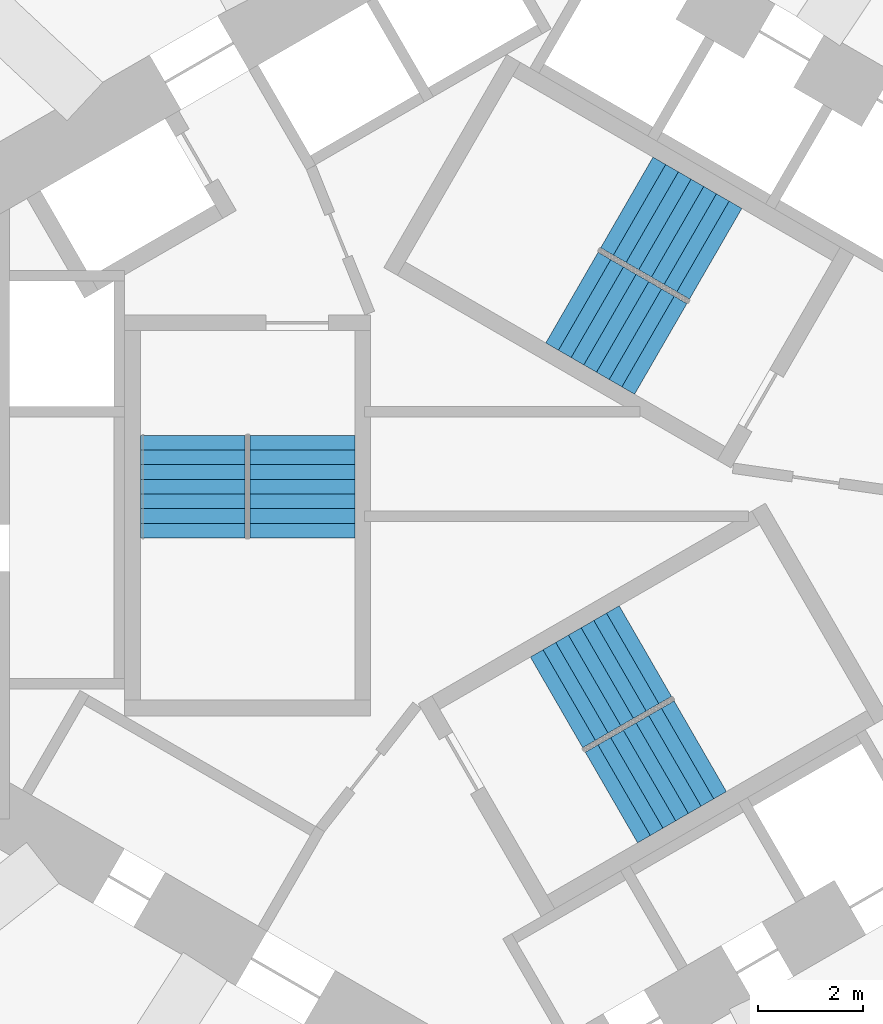
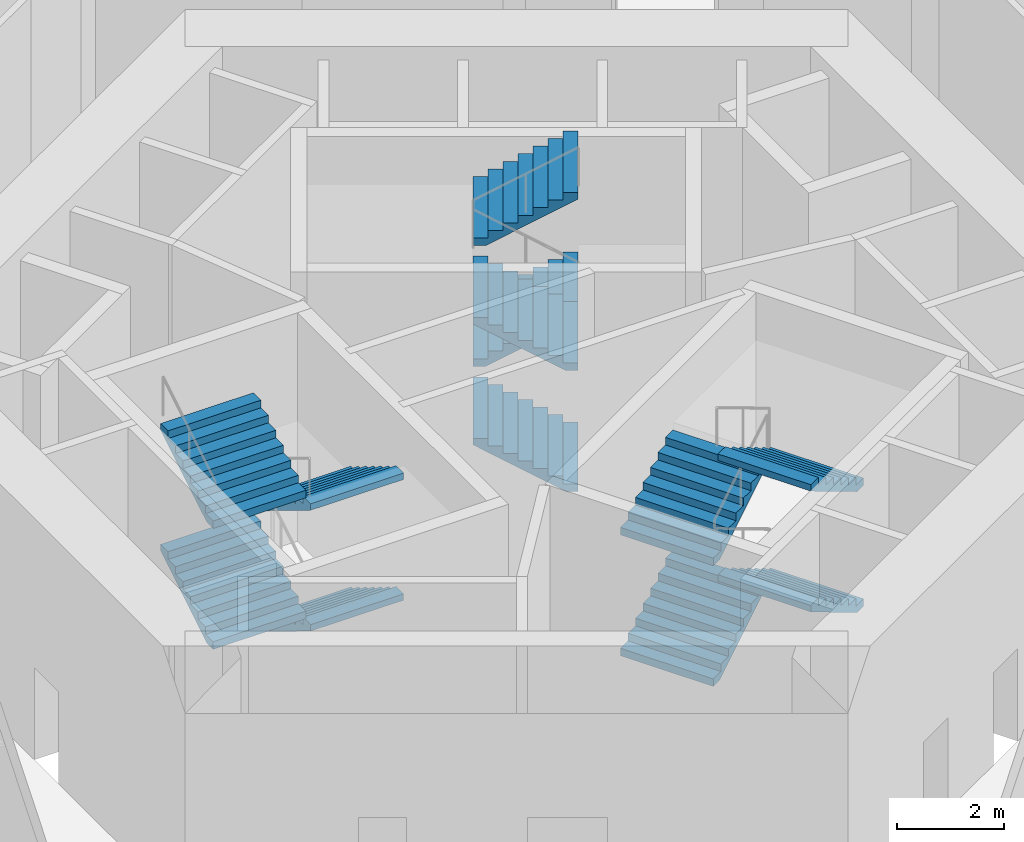
# One storey, part 12 of 16: 12 stair flights, 3 elements without a shape of their own.
"""IFC4 building model written with IfcOpenShell, lengths in metres."""

from ifc_helpers import new_model, si_unit, direction, frame, origin, place, context, subcontext, project, spatial, triangles, source, transform, mapped, material, type_object, element, aggregate, save


model = new_model("IFC4")

# Units and contexts
model_context = context("Model", 3, precision=1e-05, world=origin(), true_north=direction((0.0, 1.0)))
body_context = subcontext(model_context, "Body", "Model", "MODEL_VIEW")
ifc_project = project(units=[si_unit("LENGTHUNIT", "METRE"), si_unit("AREAUNIT", "SQUARE_METRE"), si_unit("VOLUMEUNIT", "CUBIC_METRE"), si_unit("PLANEANGLEUNIT", "RADIAN"), si_unit("MASSUNIT", "GRAM", prefix="KILO")], contexts=[model_context])

# Site, building, storey
site_placement = place(None, origin())
site = spatial("IfcSite", under=ifc_project, at=site_placement, CompositionType="ELEMENT")
building_placement = place(site_placement, origin())
building = spatial("IfcBuilding", under=site, at=building_placement, Name="Vanh Sen Convention Tower", CompositionType="ELEMENT")
storey_placement = place(building_placement, frame((0.0, 0.0, 7.5)))
storey = spatial("IfcBuildingStorey", under=building, at=storey_placement, Name="L01", CompositionType="ELEMENT", Elevation=7.5)

# Stair, stair flights
ifc_material_1 = material(Name="Concrete C50/60", Category="concrete")
stair_type_1 = type_object("IfcStairType", Name="Exit stair ST1 32 risers at 171.9", PredefinedType="HALF_TURN_STAIR", material=ifc_material_1)
stair_1_placement = place(storey_placement, origin())
stair_1 = element("IfcStair", 1, at=stair_1_placement, inside=storey, type_object=stair_type_1, Name="Exit stair ST1 L01", PredefinedType="HALF_TURN_STAIR")
ifc_material_2 = material(Name="Concrete C40/50", Category="concrete")
stair_flight_type = type_object("IfcStairFlightType", Name="Stair flight 2000", PredefinedType="STRAIGHT", material=ifc_material_2)
shared_shape = source(origin(), body_context, "Body", "Tessellation", [
    triangles([(0.239013671875, 1.0, 0.0), (0.0, 1.0, 0.0), (0.0, 1.0, 0.171875), (0.280029296875, 1.0, 0.171875), (0.280029296875, 1.0, 0.34375), (0.56005859375, 1.0, 0.34375), (0.56005859375, 1.0, 0.515625), (0.840087890625, 1.0, 0.515625), (0.840087890625, 1.0, 0.6875), (1.1201171875, 1.0, 0.6875), (1.1201171875, 1.0, 0.859375), (1.39990234375, 1.0, 0.859375), (1.39990234375, 1.0, 1.03125), (1.679931640625, 1.0, 1.03125), (1.679931640625, 1.0, 1.203125), (1.9599609375, 1.0, 1.203125), (1.9599609375, 1.0, 1.056396484375), (0.239013671875, -1.0, 0.0), (0.0, -1.0, 0.0), (0.0, -1.0, 0.171875), (0.280029296875, -1.0, 0.171875), (0.280029296875, -1.0, 0.34375), (0.56005859375, -1.0, 0.34375), (0.56005859375, -1.0, 0.515625), (0.840087890625, -1.0, 0.515625), (0.840087890625, -1.0, 0.6875), (1.1201171875, -1.0, 0.6875), (1.1201171875, -1.0, 0.859375), (1.39990234375, -1.0, 0.859375), (1.39990234375, -1.0, 1.03125), (1.679931640625, -1.0, 1.03125), (1.679931640625, -1.0, 1.203125), (1.9599609375, -1.0, 1.203125), (1.9599609375, -1.0, 1.056396484375), (0.0, 0.0400390625, 0.0), (0.0, 0.0390625, 0.0), (0.0, 0.0380859375, 0.0), (0.0, 0.037109375, 0.0), (0.0, 0.035888671875, 0.0), (0.0, 0.034912109375, 0.0), (0.0, 0.033935546875, 0.0), (0.0, 0.032958984375, 0.0), (0.0, 0.031982421875, 0.0), (0.0, 0.031005859375, 0.0), (0.0, 0.030029296875, 0.0), (0.0, 0.029052734375, 0.0), (0.0, 0.028076171875, 0.0), (0.0, 0.027099609375, 0.0), (0.0, 0.02587890625, 0.0), (0.0, 0.02490234375, 0.0), (0.0, 0.02392578125, 0.0), (0.0, 0.02294921875, 0.0), (0.0, 0.02197265625, 0.0), (0.0, 0.02099609375, 0.0), (0.0, 0.02001953125, 0.0), (0.0, 0.01904296875, 0.0), (0.0, 0.01806640625, 0.0), (0.0, 0.01708984375, 0.0), (0.0, 0.01611328125, 0.0), (0.0, 0.014892578125, 0.0), (0.0, 0.013916015625, 0.0), (0.0, 0.012939453125, 0.0), (0.0, 0.011962890625, 0.0), (0.0, 0.010986328125, 0.0), (0.0, 0.010009765625, 0.0), (0.0, 0.009033203125, 0.0), (0.0, 0.008056640625, 0.0), (0.0, 0.007080078125, 0.0), (0.0, 0.006103515625, 0.0), (0.0, 0.0048828125, 0.0), (0.0, 0.00390625, 0.0), (0.0, 0.0029296875, 0.0), (0.0, 0.001953125, 0.0), (0.0, 0.0009765625, 0.0), (0.0, 0.0, 0.0), (0.0, -0.0009765625, 0.0), (0.0, -0.001953125, 0.0), (0.0, -0.0029296875, 0.0), (0.0, -0.00390625, 0.0), (0.0, -0.0048828125, 0.0), (0.0, -0.006103515625, 0.0), (0.0, -0.007080078125, 0.0), (0.0, -0.008056640625, 0.0), (0.0, -0.009033203125, 0.0), (0.0, -0.010009765625, 0.0), (0.0, -0.010986328125, 0.0), (0.0, -0.011962890625, 0.0), (0.0, -0.012939453125, 0.0), (0.0, -0.013916015625, 0.0), (0.0, -0.014892578125, 0.0), (0.0, -0.01611328125, 0.0), (0.0, -0.01708984375, 0.0), (0.0, -0.01806640625, 0.0), (0.0, -0.01904296875, 0.0), (0.0, -0.02001953125, 0.0), (0.0, -0.02099609375, 0.0), (0.0, -0.02197265625, 0.0), (0.0, -0.02294921875, 0.0), (0.0, -0.02392578125, 0.0), (0.0, -0.02490234375, 0.0), (0.0, -0.02587890625, 0.0), (0.0, -0.027099609375, 0.0), (0.0, -0.028076171875, 0.0), (0.0, -0.029052734375, 0.0), (0.0, -0.030029296875, 0.0), (0.0, -0.031005859375, 0.0), (0.0, -0.031982421875, 0.0), (0.0, -0.032958984375, 0.0), (0.0, -0.033935546875, 0.0), (0.0, -0.034912109375, 0.0), (0.0, -0.035888671875, 0.0), (0.0, -0.037109375, 0.0), (0.0, -0.0380859375, 0.0), (0.0, -0.0390625, 0.0), (0.0, -0.0400390625, 0.0), (0.0, 0.0400390625, 0.171875), (0.0, 0.0390625, 0.171875), (0.0, 0.0380859375, 0.171875), (0.0, 0.037109375, 0.171875), (0.0, 0.035888671875, 0.171875), (0.0, 0.034912109375, 0.171875), (0.0, 0.033935546875, 0.171875), (0.0, 0.032958984375, 0.171875), (0.0, 0.031982421875, 0.171875), (0.0, 0.031005859375, 0.171875), (0.0, 0.030029296875, 0.171875), (0.0, 0.029052734375, 0.171875), (0.0, 0.028076171875, 0.171875), (0.0, 0.027099609375, 0.171875), (0.0, 0.02587890625, 0.171875), (0.0, 0.02490234375, 0.171875), (0.0, 0.02392578125, 0.171875), (0.0, 0.02294921875, 0.171875), (0.0, 0.02197265625, 0.171875), (0.0, 0.02099609375, 0.171875), (0.0, 0.02001953125, 0.171875), (0.0, 0.01904296875, 0.171875), (0.0, 0.01806640625, 0.171875), (0.0, 0.01708984375, 0.171875), (0.0, 0.01611328125, 0.171875), (0.0, 0.014892578125, 0.171875), (0.0, 0.013916015625, 0.171875), (0.0, 0.012939453125, 0.171875), (0.0, 0.011962890625, 0.171875), (0.0, 0.010986328125, 0.171875), (0.0, 0.010009765625, 0.171875), (0.0, 0.009033203125, 0.171875), (0.0, 0.008056640625, 0.171875), (0.0, 0.007080078125, 0.171875), (0.0, 0.006103515625, 0.171875), (0.0, 0.0048828125, 0.171875), (0.0, 0.00390625, 0.171875), (0.0, 0.0029296875, 0.171875), (0.0, 0.001953125, 0.171875), (0.0, 0.0009765625, 0.171875), (0.0, 0.0, 0.171875), (0.0, -0.0009765625, 0.171875), (0.0, -0.001953125, 0.171875), (0.0, -0.0029296875, 0.171875), (0.0, -0.00390625, 0.171875), (0.0, -0.0048828125, 0.171875), (0.0, -0.006103515625, 0.171875), (0.0, -0.007080078125, 0.171875), (0.0, -0.008056640625, 0.171875), (0.0, -0.009033203125, 0.171875), (0.0, -0.010009765625, 0.171875), (0.0, -0.010986328125, 0.171875), (0.0, -0.011962890625, 0.171875), (0.0, -0.012939453125, 0.171875), (0.0, -0.013916015625, 0.171875), (0.0, -0.014892578125, 0.171875), (0.0, -0.01611328125, 0.171875), (0.0, -0.01708984375, 0.171875), (0.0, -0.01806640625, 0.171875), (0.0, -0.01904296875, 0.171875), (0.0, -0.02001953125, 0.171875), (0.0, -0.02099609375, 0.171875), (0.0, -0.02197265625, 0.171875), (0.0, -0.02294921875, 0.171875), (0.0, -0.02392578125, 0.171875), (0.0, -0.02490234375, 0.171875), (0.0, -0.02587890625, 0.171875), (0.0, -0.027099609375, 0.171875), (0.0, -0.028076171875, 0.171875), (0.0, -0.029052734375, 0.171875), (0.0, -0.030029296875, 0.171875), (0.0, -0.031005859375, 0.171875), (0.0, -0.031982421875, 0.171875), (0.0, -0.032958984375, 0.171875), (0.0, -0.033935546875, 0.171875), (0.0, -0.034912109375, 0.171875), (0.0, -0.035888671875, 0.171875), (0.0, -0.037109375, 0.171875), (0.0, -0.0380859375, 0.171875), (0.0, -0.0390625, 0.171875), (0.0, -0.0400390625, 0.171875), (0.280029296875, 0.0, 0.171875), (0.280029296875, 0.0, 0.34375), (0.56005859375, 0.0, 0.34375), (0.56005859375, 0.0, 0.515625), (0.840087890625, 0.0, 0.515625), (0.840087890625, 0.0, 0.6875), (1.1201171875, 0.0, 0.6875), (1.1201171875, 0.0, 0.859375), (1.39990234375, 0.0, 0.859375), (1.39990234375, 0.0, 1.03125), (1.679931640625, 0.0, 1.03125), (1.679931640625, 0.0, 1.203125), (1.9599609375, 0.0400390625, 1.203125), (1.9599609375, 0.0390625, 1.203125), (1.9599609375, 0.0380859375, 1.203125), (1.9599609375, 0.037109375, 1.203125), (1.9599609375, 0.035888671875, 1.203125), (1.9599609375, 0.034912109375, 1.203125), (1.9599609375, 0.033935546875, 1.203125), (1.9599609375, 0.032958984375, 1.203125), (1.9599609375, 0.031982421875, 1.203125), (1.9599609375, 0.031005859375, 1.203125), (1.9599609375, 0.030029296875, 1.203125), (1.9599609375, 0.029052734375, 1.203125), (1.9599609375, 0.028076171875, 1.203125), (1.9599609375, 0.027099609375, 1.203125), (1.9599609375, 0.02587890625, 1.203125), (1.9599609375, 0.02490234375, 1.203125), (1.9599609375, 0.02392578125, 1.203125), (1.9599609375, 0.02294921875, 1.203125), (1.9599609375, 0.02197265625, 1.203125), (1.9599609375, 0.02099609375, 1.203125), (1.9599609375, 0.02001953125, 1.203125), (1.9599609375, 0.01904296875, 1.203125), (1.9599609375, 0.01806640625, 1.203125), (1.9599609375, 0.01708984375, 1.203125), (1.9599609375, 0.01611328125, 1.203125), (1.9599609375, 0.014892578125, 1.203125), (1.9599609375, 0.013916015625, 1.203125), (1.9599609375, 0.012939453125, 1.203125), (1.9599609375, 0.011962890625, 1.203125), (1.9599609375, 0.010986328125, 1.203125), (1.9599609375, 0.010009765625, 1.203125), (1.9599609375, 0.009033203125, 1.203125), (1.9599609375, 0.008056640625, 1.203125), (1.9599609375, 0.007080078125, 1.203125), (1.9599609375, 0.006103515625, 1.203125), (1.9599609375, 0.0048828125, 1.203125), (1.9599609375, 0.00390625, 1.203125), (1.9599609375, 0.0029296875, 1.203125), (1.9599609375, 0.001953125, 1.203125), (1.9599609375, 0.0009765625, 1.203125), (1.9599609375, 0.0, 1.203125), (1.9599609375, -0.0009765625, 1.203125), (1.9599609375, -0.001953125, 1.203125), (1.9599609375, -0.0029296875, 1.203125), (1.9599609375, -0.00390625, 1.203125), (1.9599609375, -0.0048828125, 1.203125), (1.9599609375, -0.006103515625, 1.203125), (1.9599609375, -0.007080078125, 1.203125), (1.9599609375, -0.008056640625, 1.203125), (1.9599609375, -0.009033203125, 1.203125), (1.9599609375, -0.010009765625, 1.203125), (1.9599609375, -0.010986328125, 1.203125), (1.9599609375, -0.011962890625, 1.203125), (1.9599609375, -0.012939453125, 1.203125), (1.9599609375, -0.013916015625, 1.203125), (1.9599609375, -0.014892578125, 1.203125), (1.9599609375, -0.01611328125, 1.203125), (1.9599609375, -0.01708984375, 1.203125), (1.9599609375, -0.01806640625, 1.203125), (1.9599609375, -0.01904296875, 1.203125), (1.9599609375, -0.02001953125, 1.203125), (1.9599609375, -0.02099609375, 1.203125), (1.9599609375, -0.02197265625, 1.203125), (1.9599609375, -0.02294921875, 1.203125), (1.9599609375, -0.02392578125, 1.203125), (1.9599609375, -0.02490234375, 1.203125), (1.9599609375, -0.02587890625, 1.203125), (1.9599609375, -0.027099609375, 1.203125), (1.9599609375, -0.028076171875, 1.203125), (1.9599609375, -0.029052734375, 1.203125), (1.9599609375, -0.030029296875, 1.203125), (1.9599609375, -0.031005859375, 1.203125), (1.9599609375, -0.031982421875, 1.203125), (1.9599609375, -0.032958984375, 1.203125), (1.9599609375, -0.033935546875, 1.203125), (1.9599609375, -0.034912109375, 1.203125), (1.9599609375, -0.035888671875, 1.203125), (1.9599609375, -0.037109375, 1.203125), (1.9599609375, -0.0380859375, 1.203125), (1.9599609375, -0.0390625, 1.203125), (1.9599609375, -0.0400390625, 1.203125), (1.9599609375, 0.0400390625, 1.056396484375), (1.9599609375, 0.0390625, 1.056396484375), (1.9599609375, 0.0380859375, 1.056396484375), (1.9599609375, 0.037109375, 1.056396484375), (1.9599609375, 0.035888671875, 1.056396484375), (1.9599609375, 0.034912109375, 1.056396484375), (1.9599609375, 0.033935546875, 1.056396484375), (1.9599609375, 0.032958984375, 1.056396484375), (1.9599609375, 0.031982421875, 1.056396484375), (1.9599609375, 0.031005859375, 1.056396484375), (1.9599609375, 0.030029296875, 1.056396484375), (1.9599609375, 0.029052734375, 1.056396484375), (1.9599609375, 0.028076171875, 1.056396484375), (1.9599609375, 0.027099609375, 1.056396484375), (1.9599609375, 0.02587890625, 1.056396484375), (1.9599609375, 0.02490234375, 1.056396484375), (1.9599609375, 0.02392578125, 1.056396484375), (1.9599609375, 0.02294921875, 1.056396484375), (1.9599609375, 0.02197265625, 1.056396484375), (1.9599609375, 0.02099609375, 1.056396484375), (1.9599609375, 0.02001953125, 1.056396484375), (1.9599609375, 0.01904296875, 1.056396484375), (1.9599609375, 0.01806640625, 1.056396484375), (1.9599609375, 0.01708984375, 1.056396484375), (1.9599609375, 0.01611328125, 1.056396484375), (1.9599609375, 0.014892578125, 1.056396484375), (1.9599609375, 0.013916015625, 1.056396484375), (1.9599609375, 0.012939453125, 1.056396484375), (1.9599609375, 0.011962890625, 1.056396484375), (1.9599609375, 0.010986328125, 1.056396484375), (1.9599609375, 0.010009765625, 1.056396484375), (1.9599609375, 0.009033203125, 1.056396484375), (1.9599609375, 0.008056640625, 1.056396484375), (1.9599609375, 0.007080078125, 1.056396484375), (1.9599609375, 0.006103515625, 1.056396484375), (1.9599609375, 0.0048828125, 1.056396484375), (1.9599609375, 0.00390625, 1.056396484375), (1.9599609375, 0.0029296875, 1.056396484375), (1.9599609375, 0.001953125, 1.056396484375), (1.9599609375, 0.0009765625, 1.056396484375), (1.9599609375, 0.0, 1.056396484375), (1.9599609375, -0.0009765625, 1.056396484375), (1.9599609375, -0.001953125, 1.056396484375), (1.9599609375, -0.0029296875, 1.056396484375), (1.9599609375, -0.00390625, 1.056396484375), (1.9599609375, -0.0048828125, 1.056396484375), (1.9599609375, -0.006103515625, 1.056396484375), (1.9599609375, -0.007080078125, 1.056396484375), (1.9599609375, -0.008056640625, 1.056396484375), (1.9599609375, -0.009033203125, 1.056396484375), (1.9599609375, -0.010009765625, 1.056396484375), (1.9599609375, -0.010986328125, 1.056396484375), (1.9599609375, -0.011962890625, 1.056396484375), (1.9599609375, -0.012939453125, 1.056396484375), (1.9599609375, -0.013916015625, 1.056396484375), (1.9599609375, -0.014892578125, 1.056396484375), (1.9599609375, -0.01611328125, 1.056396484375), (1.9599609375, -0.01708984375, 1.056396484375), (1.9599609375, -0.01806640625, 1.056396484375), (1.9599609375, -0.01904296875, 1.056396484375), (1.9599609375, -0.02001953125, 1.056396484375), (1.9599609375, -0.02099609375, 1.056396484375), (1.9599609375, -0.02197265625, 1.056396484375), (1.9599609375, -0.02294921875, 1.056396484375), (1.9599609375, -0.02392578125, 1.056396484375), (1.9599609375, -0.02490234375, 1.056396484375), (1.9599609375, -0.02587890625, 1.056396484375), (1.9599609375, -0.027099609375, 1.056396484375), (1.9599609375, -0.028076171875, 1.056396484375), (1.9599609375, -0.029052734375, 1.056396484375), (1.9599609375, -0.030029296875, 1.056396484375), (1.9599609375, -0.031005859375, 1.056396484375), (1.9599609375, -0.031982421875, 1.056396484375), (1.9599609375, -0.032958984375, 1.056396484375), (1.9599609375, -0.033935546875, 1.056396484375), (1.9599609375, -0.034912109375, 1.056396484375), (1.9599609375, -0.035888671875, 1.056396484375), (1.9599609375, -0.037109375, 1.056396484375), (1.9599609375, -0.0380859375, 1.056396484375), (1.9599609375, -0.0390625, 1.056396484375), (1.9599609375, -0.0400390625, 1.056396484375), (0.239013671875, 0.0, 0.0)], [[1, 2, 3], [1, 3, 4], [4, 5, 6], [1, 4, 6], [6, 7, 8], [1, 6, 8], [8, 9, 10], [1, 8, 10], [10, 11, 12], [1, 10, 12], [12, 13, 14], [1, 12, 14], [14, 15, 16], [1, 14, 16], [16, 17, 1], [18, 20, 19], [18, 21, 20], [21, 23, 22], [18, 23, 21], [23, 25, 24], [18, 25, 23], [25, 27, 26], [18, 27, 25], [27, 29, 28], [18, 29, 27], [29, 31, 30], [18, 31, 29], [31, 33, 32], [18, 33, 31], [33, 18, 34], [2, 116, 3], [2, 35, 116], [35, 117, 116], [35, 36, 117], [36, 118, 117], [36, 37, 118], [37, 119, 118], [37, 38, 119], [38, 120, 119], [38, 39, 120], [39, 121, 120], [39, 40, 121], [40, 122, 121], [40, 41, 122], [41, 123, 122], [41, 42, 123], [42, 124, 123], [42, 43, 124], [43, 125, 124], [43, 44, 125], [44, 126, 125], [44, 45, 126], [45, 127, 126], [45, 46, 127], [46, 128, 127], [46, 47, 128], [47, 129, 128], [47, 48, 129], [48, 130, 129], [48, 49, 130], [49, 131, 130], [49, 50, 131], [50, 132, 131], [50, 51, 132], [51, 133, 132], [51, 52, 133], [52, 134, 133], [52, 53, 134], [53, 135, 134], [53, 54, 135], [54, 136, 135], [54, 55, 136], [55, 137, 136], [55, 56, 137], [56, 138, 137], [56, 57, 138], [57, 139, 138], [57, 58, 139], [58, 140, 139], [58, 59, 140], [59, 141, 140], [59, 60, 141], [60, 142, 141], [60, 61, 142], [61, 143, 142], [61, 62, 143], [62, 144, 143], [62, 63, 144], [63, 145, 144], [63, 64, 145], [64, 146, 145], [64, 65, 146], [65, 147, 146], [65, 66, 147], [66, 148, 147], [66, 67, 148], [67, 149, 148], [67, 68, 149], [68, 150, 149], [68, 69, 150], [69, 151, 150], [69, 70, 151], [70, 152, 151], [70, 71, 152], [71, 153, 152], [71, 72, 153], [72, 154, 153], [72, 73, 154], [73, 155, 154], [73, 74, 155], [74, 156, 155], [74, 75, 156], [75, 76, 156], [156, 76, 157], [76, 77, 157], [157, 77, 158], [77, 78, 158], [158, 78, 159], [78, 79, 159], [159, 79, 160], [79, 80, 160], [160, 80, 161], [80, 81, 161], [161, 81, 162], [81, 82, 162], [162, 82, 163], [82, 83, 163], [163, 83, 164], [83, 84, 164], [164, 84, 165], [84, 85, 165], [165, 85, 166], [85, 86, 166], [166, 86, 167], [86, 87, 167], [167, 87, 168], [87, 88, 168], [168, 88, 169], [88, 89, 169], [169, 89, 170], [89, 90, 170], [170, 90, 171], [90, 91, 171], [171, 91, 172], [91, 92, 172], [172, 92, 173], [92, 93, 173], [173, 93, 174], [93, 94, 174], [174, 94, 175], [94, 95, 175], [175, 95, 176], [95, 96, 176], [176, 96, 177], [96, 97, 177], [177, 97, 178], [97, 98, 178], [178, 98, 179], [98, 99, 179], [179, 99, 180], [99, 100, 180], [180, 100, 181], [100, 101, 181], [181, 101, 182], [101, 102, 182], [182, 102, 183], [102, 103, 183], [183, 103, 184], [103, 104, 184], [184, 104, 185], [104, 105, 185], [185, 105, 186], [105, 106, 186], [186, 106, 187], [106, 107, 187], [187, 107, 188], [107, 108, 188], [188, 108, 189], [108, 109, 189], [189, 109, 190], [109, 110, 190], [190, 110, 191], [110, 111, 191], [191, 111, 192], [111, 112, 192], [192, 112, 193], [112, 113, 193], [193, 113, 194], [113, 114, 194], [194, 114, 195], [114, 115, 195], [195, 115, 196], [115, 19, 196], [196, 19, 20], [4, 3, 116], [4, 116, 117], [4, 117, 118], [4, 118, 119], [4, 119, 120], [4, 120, 121], [4, 121, 122], [4, 122, 123], [4, 123, 124], [4, 124, 125], [4, 125, 126], [4, 126, 127], [4, 127, 128], [4, 128, 129], [4, 129, 130], [4, 130, 131], [4, 131, 132], [4, 132, 133], [4, 133, 134], [4, 134, 135], [4, 135, 136], [4, 136, 137], [4, 137, 138], [4, 138, 139], [4, 139, 140], [4, 140, 141], [4, 141, 142], [4, 142, 143], [4, 143, 144], [4, 144, 145], [4, 145, 146], [4, 146, 147], [4, 147, 148], [4, 148, 149], [4, 149, 150], [4, 150, 151], [4, 151, 152], [4, 152, 153], [4, 153, 154], [4, 154, 155], [4, 155, 156], [21, 156, 157], [21, 157, 158], [21, 158, 159], [21, 159, 160], [21, 160, 161], [21, 161, 162], [21, 162, 163], [21, 163, 164], [21, 164, 165], [21, 165, 166], [21, 166, 167], [21, 167, 168], [21, 168, 169], [21, 169, 170], [21, 170, 171], [21, 171, 172], [21, 172, 173], [21, 173, 174], [21, 174, 175], [21, 175, 176], [21, 176, 177], [21, 177, 178], [21, 178, 179], [21, 179, 180], [21, 180, 181], [21, 181, 182], [21, 182, 183], [21, 183, 184], [21, 184, 185], [21, 185, 186], [21, 186, 187], [21, 187, 188], [21, 188, 189], [21, 189, 190], [21, 190, 191], [21, 191, 192], [21, 192, 193], [21, 193, 194], [21, 194, 195], [21, 195, 196], [21, 196, 20], [4, 156, 197], [21, 197, 156], [4, 198, 5], [4, 197, 198], [197, 21, 198], [198, 21, 22], [5, 199, 6], [5, 198, 199], [198, 22, 199], [199, 22, 23], [6, 200, 7], [6, 199, 200], [199, 23, 200], [200, 23, 24], [7, 201, 8], [7, 200, 201], [200, 24, 201], [201, 24, 25], [8, 202, 9], [8, 201, 202], [201, 25, 202], [202, 25, 26], [9, 203, 10], [9, 202, 203], [202, 26, 203], [203, 26, 27], [10, 204, 11], [10, 203, 204], [203, 27, 204], [204, 27, 28], [11, 205, 12], [11, 204, 205], [204, 28, 205], [205, 28, 29], [12, 206, 13], [12, 205, 206], [205, 29, 206], [206, 29, 30], [13, 207, 14], [13, 206, 207], [206, 30, 207], [207, 30, 31], [14, 208, 15], [14, 207, 208], [207, 31, 208], [208, 31, 32], [15, 209, 16], [15, 210, 209], [15, 211, 210], [15, 212, 211], [15, 213, 212], [15, 214, 213], [15, 215, 214], [15, 216, 215], [15, 217, 216], [15, 218, 217], [15, 219, 218], [15, 220, 219], [15, 221, 220], [15, 222, 221], [15, 223, 222], [15, 224, 223], [15, 225, 224], [15, 226, 225], [15, 227, 226], [15, 228, 227], [15, 229, 228], [15, 230, 229], [15, 231, 230], [15, 232, 231], [15, 233, 232], [15, 234, 233], [15, 235, 234], [15, 236, 235], [15, 237, 236], [15, 238, 237], [15, 239, 238], [15, 240, 239], [15, 241, 240], [15, 242, 241], [15, 243, 242], [15, 244, 243], [15, 245, 244], [15, 246, 245], [15, 247, 246], [15, 248, 247], [15, 249, 248], [32, 250, 249], [32, 251, 250], [32, 252, 251], [32, 253, 252], [32, 254, 253], [32, 255, 254], [32, 256, 255], [32, 257, 256], [32, 258, 257], [32, 259, 258], [32, 260, 259], [32, 261, 260], [32, 262, 261], [32, 263, 262], [32, 264, 263], [32, 265, 264], [32, 266, 265], [32, 267, 266], [32, 268, 267], [32, 269, 268], [32, 270, 269], [32, 271, 270], [32, 272, 271], [32, 273, 272], [32, 274, 273], [32, 275, 274], [32, 276, 275], [32, 277, 276], [32, 278, 277], [32, 279, 278], [32, 280, 279], [32, 281, 280], [32, 282, 281], [32, 283, 282], [32, 284, 283], [32, 285, 284], [32, 286, 285], [32, 287, 286], [32, 288, 287], [32, 289, 288], [32, 33, 289], [15, 208, 249], [32, 249, 208], [16, 290, 17], [16, 209, 290], [209, 291, 290], [209, 210, 291], [210, 292, 291], [210, 211, 292], [211, 293, 292], [211, 212, 293], [212, 294, 293], [212, 213, 294], [213, 295, 294], [213, 214, 295], [214, 296, 295], [214, 215, 296], [215, 297, 296], [215, 216, 297], [216, 298, 297], [216, 217, 298], [217, 299, 298], [217, 218, 299], [218, 300, 299], [218, 219, 300], [219, 301, 300], [219, 220, 301], [220, 302, 301], [220, 221, 302], [221, 303, 302], [221, 222, 303], [222, 304, 303], [222, 223, 304], [223, 305, 304], [223, 224, 305], [224, 306, 305], [224, 225, 306], [225, 307, 306], [225, 226, 307], [226, 308, 307], [226, 227, 308], [227, 309, 308], [227, 228, 309], [228, 310, 309], [228, 229, 310], [229, 311, 310], [229, 230, 311], [230, 312, 311], [230, 231, 312], [231, 313, 312], [231, 232, 313], [232, 314, 313], [232, 233, 314], [233, 315, 314], [233, 234, 315], [234, 316, 315], [234, 235, 316], [235, 317, 316], [235, 236, 317], [236, 318, 317], [236, 237, 318], [237, 319, 318], [237, 238, 319], [238, 320, 319], [238, 239, 320], [239, 321, 320], [239, 240, 321], [240, 322, 321], [240, 241, 322], [241, 323, 322], [241, 242, 323], [242, 324, 323], [242, 243, 324], [243, 325, 324], [243, 244, 325], [244, 326, 325], [244, 245, 326], [245, 327, 326], [245, 246, 327], [246, 328, 327], [246, 247, 328], [247, 329, 328], [247, 248, 329], [248, 330, 329], [248, 249, 330], [249, 250, 330], [330, 250, 331], [250, 251, 331], [331, 251, 332], [251, 252, 332], [332, 252, 333], [252, 253, 333], [333, 253, 334], [253, 254, 334], [334, 254, 335], [254, 255, 335], [335, 255, 336], [255, 256, 336], [336, 256, 337], [256, 257, 337], [337, 257, 338], [257, 258, 338], [338, 258, 339], [258, 259, 339], [339, 259, 340], [259, 260, 340], [340, 260, 341], [260, 261, 341], [341, 261, 342], [261, 262, 342], [342, 262, 343], [262, 263, 343], [343, 263, 344], [263, 264, 344], [344, 264, 345], [264, 265, 345], [345, 265, 346], [265, 266, 346], [346, 266, 347], [266, 267, 347], [347, 267, 348], [267, 268, 348], [348, 268, 349], [268, 269, 349], [349, 269, 350], [269, 270, 350], [350, 270, 351], [270, 271, 351], [351, 271, 352], [271, 272, 352], [352, 272, 353], [272, 273, 353], [353, 273, 354], [273, 274, 354], [354, 274, 355], [274, 275, 355], [355, 275, 356], [275, 276, 356], [356, 276, 357], [276, 277, 357], [357, 277, 358], [277, 278, 358], [358, 278, 359], [278, 279, 359], [359, 279, 360], [279, 280, 360], [360, 280, 361], [280, 281, 361], [361, 281, 362], [281, 282, 362], [362, 282, 363], [282, 283, 363], [363, 283, 364], [283, 284, 364], [364, 284, 365], [284, 285, 365], [365, 285, 366], [285, 286, 366], [366, 286, 367], [286, 287, 367], [367, 287, 368], [287, 288, 368], [368, 288, 369], [288, 289, 369], [369, 289, 370], [289, 33, 370], [370, 33, 34], [1, 17, 290], [1, 290, 291], [1, 291, 292], [1, 292, 293], [1, 293, 294], [1, 294, 295], [1, 295, 296], [1, 296, 297], [1, 297, 298], [1, 298, 299], [1, 299, 300], [1, 300, 301], [1, 301, 302], [1, 302, 303], [1, 303, 304], [1, 304, 305], [1, 305, 306], [1, 306, 307], [1, 307, 308], [1, 308, 309], [1, 309, 310], [1, 310, 311], [1, 311, 312], [1, 312, 313], [1, 313, 314], [1, 314, 315], [1, 315, 316], [1, 316, 317], [1, 317, 318], [1, 318, 319], [1, 319, 320], [1, 320, 321], [1, 321, 322], [1, 322, 323], [1, 323, 324], [1, 324, 325], [1, 325, 326], [1, 326, 327], [1, 327, 328], [1, 328, 329], [1, 329, 330], [18, 330, 331], [18, 331, 332], [18, 332, 333], [18, 333, 334], [18, 334, 335], [18, 335, 336], [18, 336, 337], [18, 337, 338], [18, 338, 339], [18, 339, 340], [18, 340, 341], [18, 341, 342], [18, 342, 343], [18, 343, 344], [18, 344, 345], [18, 345, 346], [18, 346, 347], [18, 347, 348], [18, 348, 349], [18, 349, 350], [18, 350, 351], [18, 351, 352], [18, 352, 353], [18, 353, 354], [18, 354, 355], [18, 355, 356], [18, 356, 357], [18, 357, 358], [18, 358, 359], [18, 359, 360], [18, 360, 361], [18, 361, 362], [18, 362, 363], [18, 363, 364], [18, 364, 365], [18, 365, 366], [18, 366, 367], [18, 367, 368], [18, 368, 369], [18, 369, 370], [18, 370, 34], [1, 330, 371], [18, 371, 330], [1, 35, 2], [1, 36, 35], [1, 37, 36], [1, 38, 37], [1, 39, 38], [1, 40, 39], [1, 41, 40], [1, 42, 41], [1, 43, 42], [1, 44, 43], [1, 45, 44], [1, 46, 45], [1, 47, 46], [1, 48, 47], [1, 49, 48], [1, 50, 49], [1, 51, 50], [1, 52, 51], [1, 53, 52], [1, 54, 53], [1, 55, 54], [1, 56, 55], [1, 57, 56], [1, 58, 57], [1, 59, 58], [1, 60, 59], [1, 61, 60], [1, 62, 61], [1, 63, 62], [1, 64, 63], [1, 65, 64], [1, 66, 65], [1, 67, 66], [1, 68, 67], [1, 69, 68], [1, 70, 69], [1, 71, 70], [1, 72, 71], [1, 73, 72], [1, 74, 73], [1, 75, 74], [18, 76, 75], [18, 77, 76], [18, 78, 77], [18, 79, 78], [18, 80, 79], [18, 81, 80], [18, 82, 81], [18, 83, 82], [18, 84, 83], [18, 85, 84], [18, 86, 85], [18, 87, 86], [18, 88, 87], [18, 89, 88], [18, 90, 89], [18, 91, 90], [18, 92, 91], [18, 93, 92], [18, 94, 93], [18, 95, 94], [18, 96, 95], [18, 97, 96], [18, 98, 97], [18, 99, 98], [18, 100, 99], [18, 101, 100], [18, 102, 101], [18, 103, 102], [18, 104, 103], [18, 105, 104], [18, 106, 105], [18, 107, 106], [18, 108, 107], [18, 109, 108], [18, 110, 109], [18, 111, 110], [18, 112, 111], [18, 113, 112], [18, 114, 113], [18, 115, 114], [18, 19, 115], [1, 371, 75], [18, 75, 371]], closed=True),
])
stair_flight_1_placement = place(storey_placement, frame((2.94580078125, 2.802490234375, 0.0), z_axis=(0.0, 0.0, 1.0), x_axis=(-0.866025403784, 0.5, 0.0)))
stair_flight_1 = element("IfcStairFlight", 2, at=stair_flight_1_placement, type_object=stair_flight_type, Name="ST1 flight 1", NumberOfRisers=8, NumberOfTreads=7, PredefinedType="STRAIGHT", RiserHeight=0.171875, TreadLength=0.28, context=body_context, shape_type="MappedRepresentation", body=[
    mapped(shared_shape, transform((0.0, 0.0, 0.0))),
])
stair_flight_2_placement = place(storey_placement, frame((2.298583984375, 5.601318359375, 1.375), z_axis=(0.0, 0.0, 1.0), x_axis=(0.866025403784, -0.5, 0.0)))
stair_flight_2 = element("IfcStairFlight", 3, at=stair_flight_2_placement, type_object=stair_flight_type, Name="ST1 flight 2", NumberOfRisers=8, NumberOfTreads=7, PredefinedType="STRAIGHT", RiserHeight=0.171875, TreadLength=0.28, context=body_context, shape_type="MappedRepresentation", body=[
    mapped(shared_shape, transform((0.0, 0.0, 0.0))),
])
stair_flight_3_placement = place(storey_placement, frame((2.94580078125, 2.802490234375, 2.75), z_axis=(0.0, 0.0, 1.0), x_axis=(-0.866025403784, 0.5, 0.0)))
stair_flight_3 = element("IfcStairFlight", 4, at=stair_flight_3_placement, type_object=stair_flight_type, Name="ST1 flight 3", NumberOfRisers=8, NumberOfTreads=7, PredefinedType="STRAIGHT", RiserHeight=0.171875, TreadLength=0.28, context=body_context, shape_type="MappedRepresentation", body=[
    mapped(shared_shape, transform((0.0, 0.0, 0.0))),
])
stair_flight_4_placement = place(storey_placement, frame((2.298583984375, 5.601318359375, 4.125), z_axis=(0.0, 0.0, 1.0), x_axis=(0.866025403784, -0.5, 0.0)))
stair_flight_4 = element("IfcStairFlight", 5, at=stair_flight_4_placement, type_object=stair_flight_type, Name="ST1 flight 4", NumberOfRisers=8, NumberOfTreads=7, PredefinedType="STRAIGHT", RiserHeight=0.171875, TreadLength=0.28, context=body_context, shape_type="MappedRepresentation", body=[
    mapped(shared_shape, transform((0.0, 0.0, 0.0))),
])
aggregate(stair_1, [stair_flight_1, stair_flight_2, stair_flight_3, stair_flight_4])

stair_type_2 = type_object("IfcStairType", Name="Exit stair ST2 32 risers at 171.9", PredefinedType="HALF_TURN_STAIR", material=ifc_material_1)
stair_2_placement = place(storey_placement, origin())
stair_2 = element("IfcStair", 6, at=stair_2_placement, inside=storey, type_object=stair_type_2, Name="Exit stair ST2 L01", PredefinedType="HALF_TURN_STAIR")
stair_flight_5_placement = place(storey_placement, frame((-3.89990234375, 1.14990234375, 0.0), z_axis=(0.0, 0.0, 1.0), x_axis=(0.0, -1.0, 0.0)))
stair_flight_5 = element("IfcStairFlight", 7, at=stair_flight_5_placement, type_object=stair_flight_type, Name="ST2 flight 1", NumberOfRisers=8, NumberOfTreads=7, PredefinedType="STRAIGHT", RiserHeight=0.171875, TreadLength=0.28, context=body_context, shape_type="MappedRepresentation", body=[
    mapped(shared_shape, transform((0.0, 0.0, 0.0))),
])
stair_flight_6_placement = place(storey_placement, frame((-6.0, -0.81005859375, 1.375), z_axis=(0.0, 0.0, 1.0), x_axis=(0.0, 1.0, 0.0)))
stair_flight_6 = element("IfcStairFlight", 8, at=stair_flight_6_placement, type_object=stair_flight_type, Name="ST2 flight 2", NumberOfRisers=8, NumberOfTreads=7, PredefinedType="STRAIGHT", RiserHeight=0.171875, TreadLength=0.28, context=body_context, shape_type="MappedRepresentation", body=[
    mapped(shared_shape, transform((0.0, 0.0, 0.0))),
])
stair_flight_7_placement = place(storey_placement, frame((-3.89990234375, 1.14990234375, 2.75), z_axis=(0.0, 0.0, 1.0), x_axis=(0.0, -1.0, 0.0)))
stair_flight_7 = element("IfcStairFlight", 9, at=stair_flight_7_placement, type_object=stair_flight_type, Name="ST2 flight 3", NumberOfRisers=8, NumberOfTreads=7, PredefinedType="STRAIGHT", RiserHeight=0.171875, TreadLength=0.28, context=body_context, shape_type="MappedRepresentation", body=[
    mapped(shared_shape, transform((0.0, 0.0, 0.0))),
])
stair_flight_8_placement = place(storey_placement, frame((-6.0, -0.81005859375, 4.125), z_axis=(0.0, 0.0, 1.0), x_axis=(0.0, 1.0, 0.0)))
stair_flight_8 = element("IfcStairFlight", 10, at=stair_flight_8_placement, type_object=stair_flight_type, Name="ST2 flight 4", NumberOfRisers=8, NumberOfTreads=7, PredefinedType="STRAIGHT", RiserHeight=0.171875, TreadLength=0.28, context=body_context, shape_type="MappedRepresentation", body=[
    mapped(shared_shape, transform((0.0, 0.0, 0.0))),
])
aggregate(stair_2, [stair_flight_5, stair_flight_6, stair_flight_7, stair_flight_8])

stair_type_3 = type_object("IfcStairType", Name="Exit stair ST3 32 risers at 171.9", PredefinedType="HALF_TURN_STAIR", material=ifc_material_1)
stair_3_placement = place(storey_placement, origin())
stair_3 = element("IfcStair", 11, at=stair_3_placement, inside=storey, type_object=stair_type_3, Name="Exit stair ST3 L01", PredefinedType="HALF_TURN_STAIR")
stair_flight_9_placement = place(storey_placement, frame((0.9541015625, -3.952392578125, 0.0), z_axis=(0.0, 0.0, 1.0), x_axis=(0.866025403784, 0.5, 0.0)))
stair_flight_9 = element("IfcStairFlight", 12, at=stair_flight_9_placement, type_object=stair_flight_type, Name="ST3 flight 1", NumberOfRisers=8, NumberOfTreads=7, PredefinedType="STRAIGHT", RiserHeight=0.171875, TreadLength=0.28, context=body_context, shape_type="MappedRepresentation", body=[
    mapped(shared_shape, transform((0.0, 0.0, 0.0))),
])
stair_flight_10_placement = place(storey_placement, frame((3.701416015625, -4.791259765625, 1.375), z_axis=(0.0, 0.0, 1.0), x_axis=(-0.866025403784, -0.5, 0.0)))
stair_flight_10 = element("IfcStairFlight", 13, at=stair_flight_10_placement, type_object=stair_flight_type, Name="ST3 flight 2", NumberOfRisers=8, NumberOfTreads=7, PredefinedType="STRAIGHT", RiserHeight=0.171875, TreadLength=0.28, context=body_context, shape_type="MappedRepresentation", body=[
    mapped(shared_shape, transform((0.0, 0.0, 0.0))),
])
stair_flight_11_placement = place(storey_placement, frame((0.9541015625, -3.952392578125, 2.75), z_axis=(0.0, 0.0, 1.0), x_axis=(0.866025403784, 0.5, 0.0)))
stair_flight_11 = element("IfcStairFlight", 14, at=stair_flight_11_placement, type_object=stair_flight_type, Name="ST3 flight 3", NumberOfRisers=8, NumberOfTreads=7, PredefinedType="STRAIGHT", RiserHeight=0.171875, TreadLength=0.28, context=body_context, shape_type="MappedRepresentation", body=[
    mapped(shared_shape, transform((0.0, 0.0, 0.0))),
])
stair_flight_12_placement = place(storey_placement, frame((3.701416015625, -4.791259765625, 4.125), z_axis=(0.0, 0.0, 1.0), x_axis=(-0.866025403784, -0.5, 0.0)))
stair_flight_12 = element("IfcStairFlight", 15, at=stair_flight_12_placement, type_object=stair_flight_type, Name="ST3 flight 4", NumberOfRisers=8, NumberOfTreads=7, PredefinedType="STRAIGHT", RiserHeight=0.171875, TreadLength=0.28, context=body_context, shape_type="MappedRepresentation", body=[
    mapped(shared_shape, transform((0.0, 0.0, 0.0))),
])
aggregate(stair_3, [stair_flight_9, stair_flight_10, stair_flight_11, stair_flight_12])

save(model, "model.ifc")
